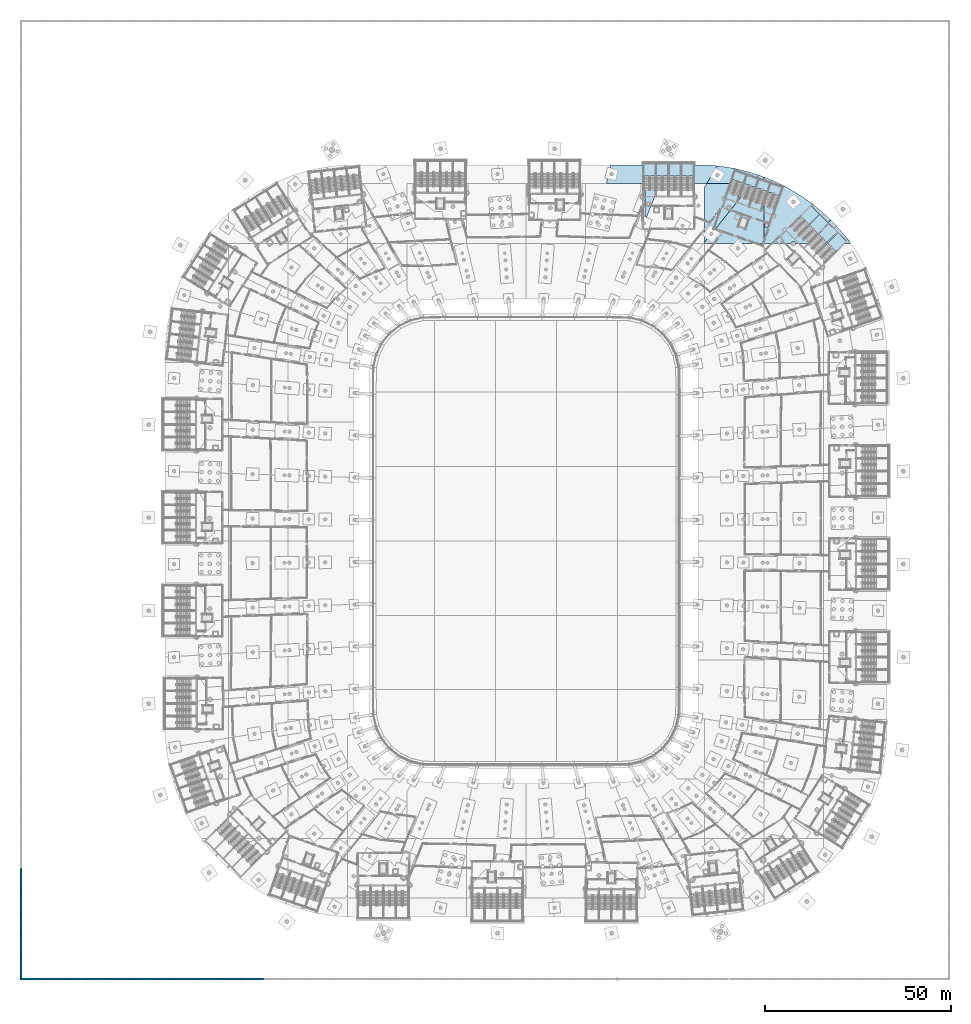
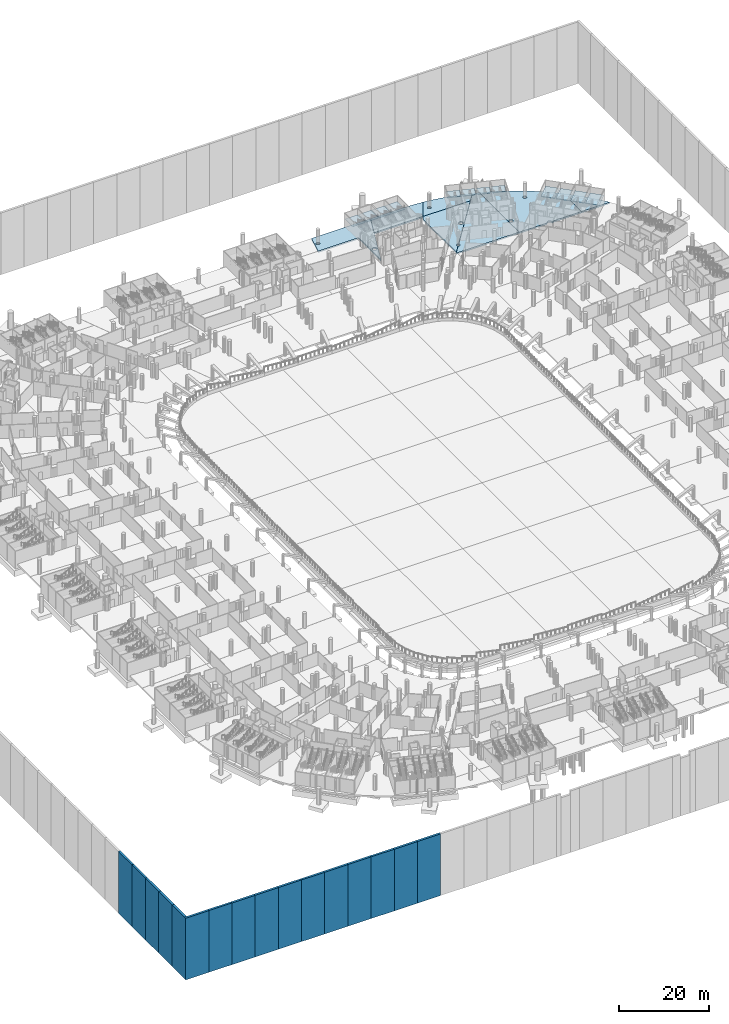
# One storey, part 34 of 142: 19 slabs, 16 walls, 12 elements without a shape of their own.
"""IFC4 building model written with IfcOpenShell, lengths in metres."""

from ifc_helpers import new_model, si_unit, direction, frame, frame_2d, origin, place, context, subcontext, project, spatial, polyline, rectangle, outline, extrude, material, layer, layer_set, type_object, element, aggregate, save


model = new_model("IFC4")

# Units and contexts
model_context = context("Model", 3, precision=1e-05, world=origin(), true_north=direction((0.0, 1.0)))
body_context = subcontext(model_context, "Body", "Model", "MODEL_VIEW")
ifc_project = project(units=[si_unit("LENGTHUNIT", "METRE"), si_unit("AREAUNIT", "SQUARE_METRE"), si_unit("VOLUMEUNIT", "CUBIC_METRE"), si_unit("PLANEANGLEUNIT", "RADIAN"), si_unit("MASSUNIT", "GRAM", prefix="KILO")], contexts=[model_context])

# Site, building, storey
site_placement = place(None, origin())
site = spatial("IfcSite", under=ifc_project, at=site_placement, CompositionType="ELEMENT")
building_placement = place(site_placement, origin())
building = spatial("IfcBuilding", under=site, at=building_placement, Name="Meseta Stadium", CompositionType="ELEMENT")
storey_placement = place(building_placement, frame((0.0, 0.0, -4.0)))
storey = spatial("IfcBuildingStorey", under=building, at=storey_placement, Name="B1", CompositionType="ELEMENT", Elevation=-4.0)

# Slabs
ifc_material_1 = material(Name="Concrete C30/37", Category="concrete")
ifc_layer_1 = layer(ifc_material_1, 0.39990234375)
ifc_layer_set_1 = layer_set([ifc_layer_1], Name="Base slab 400")
slab_type_1 = type_object("IfcSlabType", Name="Base slab 400", PredefinedType="BASESLAB", material=ifc_layer_set_1)
slab_1_placement = place(storey_placement, frame((0.0, 0.0, -0.39990234375)))
element("IfcSlab", 1, at=slab_1_placement, inside=storey, type_object=slab_type_1, Name="Base slab B1 sector 07 panel 07", PredefinedType="BASESLAB", context=body_context, shape_type="SweptSolid", body=[
    extrude(outline(polyline([(49.547607421875, 82.18115234375), (47.787353515625, 80.0), (64.0, 80.0), (64.0, 97.771484375), (62.556396484375, 98.300048828125), (50.050048828125, 82.8037109375), (50.0751953125, 82.782958984375), (50.125244140625, 82.72216796875), (50.16259765625, 82.652587890625), (50.185302734375, 82.5771484375), (50.193115234375, 82.498779296875), (50.185302734375, 82.42041015625), (50.16259765625, 82.344970703125), (50.125244140625, 82.275390625), (50.0751953125, 82.214599609375), (50.014404296875, 82.16455078125), (49.945068359375, 82.12744140625), (49.86962890625, 82.1044921875), (49.791015625, 82.096923828125), (49.712646484375, 82.1044921875), (49.63720703125, 82.12744140625), (49.56787109375, 82.16455078125), (49.547607421875, 82.18115234375)])), origin(), (0.0, 0.0, 1.0), 0.39990234375),
])
slab_2_placement = place(storey_placement, frame((0.0, 0.0, -0.39990234375)))
element("IfcSlab", 2, at=slab_2_placement, inside=storey, type_object=slab_type_1, Name="Base slab B1 sector 07 panel 08", PredefinedType="BASESLAB", context=body_context, shape_type="SweptSolid", body=[
    extrude(outline(polyline([(81.940673828125, 86.2099609375), (80.55419921875, 87.5390625), (79.118408203125, 88.815185546875), (77.635986328125, 90.036376953125), (76.108642578125, 91.201171875), (74.53857421875, 92.3076171875), (72.927978515625, 93.3544921875), (71.279296875, 94.340087890625), (69.594970703125, 95.262939453125), (67.876953125, 96.121826171875), (66.127685546875, 96.915771484375), (64.35009765625, 97.643310546875), (64.0, 97.771484375), (64.0, 80.0), (71.18359375, 80.0), (71.18408203125, 80.006591796875), (71.218505859375, 80.11962890625), (71.274169921875, 80.223876953125), (71.34912109375, 80.315185546875), (71.4404296875, 80.39013671875), (71.544677734375, 80.44580078125), (71.65771484375, 80.480224609375), (71.775390625, 80.49169921875), (71.89306640625, 80.480224609375), (72.006103515625, 80.44580078125), (72.1103515625, 80.39013671875), (72.20166015625, 80.315185546875), (72.276611328125, 80.223876953125), (72.33251953125, 80.11962890625), (72.36669921875, 80.006591796875), (72.37841796875, 79.888916015625), (72.36669921875, 79.771240234375), (72.357421875, 79.74072265625), (72.741455078125, 80.0), (80.0, 80.0), (80.0, 84.89990234375), (81.940673828125, 86.2099609375)]), holes=[polyline([(65.086181640625, 84.98486328125), (65.114990234375, 84.890625), (65.12451171875, 84.79248046875), (65.114990234375, 84.694580078125), (65.086181640625, 84.600341796875), (65.039794921875, 84.513427734375), (64.977294921875, 84.437255859375), (64.9013671875, 84.374755859375), (64.814453125, 84.328369140625), (64.72021484375, 84.2998046875), (64.6220703125, 84.2900390625), (64.524169921875, 84.2998046875), (64.429931640625, 84.328369140625), (64.343017578125, 84.374755859375), (64.266845703125, 84.437255859375), (64.204345703125, 84.513427734375), (64.157958984375, 84.600341796875), (64.12939453125, 84.694580078125), (64.11962890625, 84.79248046875), (64.12939453125, 84.890625), (64.157958984375, 84.98486328125), (64.204345703125, 85.07177734375), (64.266845703125, 85.147705078125), (64.343017578125, 85.210205078125), (64.429931640625, 85.256591796875), (64.524169921875, 85.285400390625), (64.6220703125, 85.294921875), (64.72021484375, 85.285400390625), (64.814453125, 85.256591796875), (64.9013671875, 85.210205078125), (64.977294921875, 85.147705078125), (65.039794921875, 85.07177734375), (65.086181640625, 84.98486328125)]), polyline([(72.2744140625, 91.32373046875), (72.30029296875, 91.239013671875), (72.308837890625, 91.15087890625), (72.30029296875, 91.0625), (72.2744140625, 90.977783203125), (72.232666015625, 90.899658203125), (72.176513671875, 90.8310546875), (72.10791015625, 90.77490234375), (72.02978515625, 90.73291015625), (71.945068359375, 90.707275390625), (71.856689453125, 90.698486328125), (71.7685546875, 90.707275390625), (71.68359375, 90.73291015625), (71.60546875, 90.77490234375), (71.537109375, 90.8310546875), (71.480712890625, 90.899658203125), (71.43896484375, 90.977783203125), (71.413330078125, 91.0625), (71.404541015625, 91.15087890625), (71.413330078125, 91.239013671875), (71.43896484375, 91.32373046875), (71.480712890625, 91.402099609375), (71.537109375, 91.470458984375), (71.60546875, 91.52685546875), (71.68359375, 91.568603515625), (71.7685546875, 91.59423828125), (71.856689453125, 91.60302734375), (71.945068359375, 91.59423828125), (72.02978515625, 91.568603515625), (72.10791015625, 91.52685546875), (72.176513671875, 91.470458984375), (72.232666015625, 91.402099609375), (72.2744140625, 91.32373046875)])]), origin(), (0.0, 0.0, 1.0), 0.39990234375),
])
slab_3_placement = place(storey_placement, frame((0.0, 0.0, -0.39990234375)))
element("IfcSlab", 3, at=slab_3_placement, inside=storey, type_object=slab_type_1, Name="Base slab B1 sector 07 panel 12", PredefinedType="BASESLAB", context=body_context, shape_type="SweptSolid", body=[
    extrude(outline(polyline([(83.276611328125, 84.829833984375), (81.940673828125, 86.2099609375), (80.0, 84.89990234375), (80.0, 80.0), (87.246337890625, 80.0), (86.9599609375, 80.402099609375), (85.787841796875, 81.923828125), (84.5595703125, 83.400390625), (83.276611328125, 84.829833984375)])), origin(), (0.0, 0.0, 1.0), 0.39990234375),
])
slab_4_placement = place(storey_placement, frame((0.0, 0.0, -0.39990234375)))
element("IfcSlab", 4, at=slab_4_placement, inside=storey, type_object=slab_type_1, Name="Base slab B1 sector 14 panel 13", PredefinedType="BASESLAB", context=body_context, shape_type="SweptSolid", body=[
    extrude(outline(polyline([(32.0, 86.0400390625), (37.964599609375, 101.070556640625), (27.831787109375, 101.039794921875), (22.768310546875, 101.027099609375), (21.5712890625, 96.0), (32.0, 96.0), (32.0, 86.0400390625)]), holes=[polyline([(23.417724609375, 98.427001953125), (23.3759765625, 98.348876953125), (23.319580078125, 98.2802734375), (23.251220703125, 98.22412109375), (23.173095703125, 98.18212890625), (23.088134765625, 98.156494140625), (23.0, 98.147705078125), (22.911865234375, 98.156494140625), (22.826904296875, 98.18212890625), (22.748779296875, 98.22412109375), (22.680419921875, 98.2802734375), (22.6240234375, 98.348876953125), (22.582275390625, 98.427001953125), (22.556396484375, 98.51171875), (22.5478515625, 98.60009765625), (22.556396484375, 98.688232421875), (22.582275390625, 98.77294921875), (22.6240234375, 98.851318359375), (22.680419921875, 98.919677734375), (22.748779296875, 98.97607421875), (22.826904296875, 99.017822265625), (22.911865234375, 99.04345703125), (23.0, 99.05224609375), (23.088134765625, 99.04345703125), (23.173095703125, 99.017822265625), (23.251220703125, 98.97607421875), (23.319580078125, 98.919677734375), (23.3759765625, 98.851318359375), (23.417724609375, 98.77294921875), (23.443603515625, 98.688232421875), (23.4521484375, 98.60009765625), (23.443603515625, 98.51171875), (23.417724609375, 98.427001953125)]), polyline([(33.334716796875, 90.160400390625), (33.2509765625, 90.091552734375), (33.155517578125, 90.04052734375), (33.0517578125, 90.009033203125), (32.944091796875, 89.998291015625), (32.836181640625, 90.009033203125), (32.732421875, 90.04052734375), (32.636962890625, 90.091552734375), (32.55322265625, 90.160400390625), (32.484619140625, 90.243896484375), (32.433349609375, 90.339599609375), (32.40185546875, 90.443359375), (32.391357421875, 90.551025390625), (32.40185546875, 90.658935546875), (32.433349609375, 90.7626953125), (32.484619140625, 90.858154296875), (32.55322265625, 90.94189453125), (32.636962890625, 91.010498046875), (32.732421875, 91.061767578125), (32.836181640625, 91.093017578125), (32.944091796875, 91.103759765625), (33.0517578125, 91.093017578125), (33.155517578125, 91.061767578125), (33.2509765625, 91.010498046875), (33.334716796875, 90.94189453125), (33.403564453125, 90.858154296875), (33.45458984375, 90.7626953125), (33.486083984375, 90.658935546875), (33.49658203125, 90.551025390625), (33.486083984375, 90.443359375), (33.45458984375, 90.339599609375), (33.403564453125, 90.243896484375), (33.334716796875, 90.160400390625)])]), origin(), (0.0, 0.0, 1.0), 0.39990234375),
])
slab_5_placement = place(storey_placement, frame((0.0, 0.0, -0.39990234375)))
element("IfcSlab", 5, at=slab_5_placement, inside=storey, type_object=slab_type_1, Name="Base slab B1 sector 14 panel 16", PredefinedType="BASESLAB", context=body_context, shape_type="SweptSolid", body=[
    extrude(outline(polyline([(49.408447265625, 100.975830078125), (47.490478515625, 101.072509765625), (45.570068359375, 101.09716796875), (37.964599609375, 101.070556640625), (35.952392578125, 96.0), (48.54296875, 96.0), (51.32177734375, 100.807373046875), (49.408447265625, 100.975830078125)])), origin(), (0.0, 0.0, 1.0), 0.39990234375),
])
slab_6_placement = place(storey_placement, frame((0.0, 0.0, -0.39990234375)))
element("IfcSlab", 6, at=slab_6_placement, inside=storey, type_object=slab_type_1, Name="Base slab B1 sector 14 panel 17", PredefinedType="BASESLAB", context=body_context, shape_type="SweptSolid", body=[
    extrude(outline(polyline([(50.014404296875, 82.8330078125), (50.03466796875, 82.81640625), (60.67431640625, 96.0), (48.54296875, 96.0), (48.0, 95.060546875), (48.0, 80.29541015625), (49.5322265625, 82.19384765625), (49.5068359375, 82.214599609375), (49.456787109375, 82.275390625), (49.419921875, 82.344970703125), (49.39697265625, 82.42041015625), (49.38916015625, 82.498779296875), (49.39697265625, 82.5771484375), (49.419921875, 82.652587890625), (49.456787109375, 82.72216796875), (49.5068359375, 82.782958984375), (49.56787109375, 82.8330078125), (49.63720703125, 82.8701171875), (49.712646484375, 82.89306640625), (49.791015625, 82.900634765625), (49.86962890625, 82.89306640625), (49.945068359375, 82.8701171875), (50.014404296875, 82.8330078125)]), holes=[polyline([(54.734619140625, 89.068603515625), (54.631103515625, 89.037353515625), (54.523193359375, 89.026611328125), (54.415283203125, 89.037353515625), (54.311767578125, 89.068603515625), (54.21630859375, 89.119873046875), (54.13232421875, 89.1884765625), (54.063720703125, 89.272216796875), (54.0126953125, 89.367919921875), (53.981201171875, 89.471435546875), (53.970703125, 89.579345703125), (53.981201171875, 89.68701171875), (54.0126953125, 89.790771484375), (54.063720703125, 89.88623046875), (54.13232421875, 89.97021484375), (54.21630859375, 90.038818359375), (54.311767578125, 90.08984375), (54.415283203125, 90.121337890625), (54.523193359375, 90.132080078125), (54.631103515625, 90.121337890625), (54.734619140625, 90.08984375), (54.830322265625, 90.038818359375), (54.9140625, 89.97021484375), (54.98291015625, 89.88623046875), (55.03369140625, 89.790771484375), (55.065185546875, 89.68701171875), (55.075927734375, 89.579345703125), (55.065185546875, 89.471435546875), (55.03369140625, 89.367919921875), (54.98291015625, 89.272216796875), (54.9140625, 89.1884765625), (54.830322265625, 89.119873046875), (54.734619140625, 89.068603515625)])]), origin(), (0.0, 0.0, 1.0), 0.39990234375),
])
slab_7_placement = place(storey_placement, frame((0.0, 0.0, -0.39990234375)))
element("IfcSlab", 7, at=slab_7_placement, inside=storey, type_object=slab_type_1, Name="Base slab B1 sector 14 panel 18", PredefinedType="BASESLAB", context=body_context, shape_type="SweptSolid", body=[
    extrude(outline(polyline([(55.122314453125, 100.2548828125), (53.227294921875, 100.56689453125), (51.32177734375, 100.807373046875), (48.54296875, 96.0), (60.67431640625, 96.0), (62.536376953125, 98.306884765625), (60.71923828125, 98.89599609375), (58.87109375, 99.4189453125), (57.004638671875, 99.872314453125), (55.122314453125, 100.2548828125)]), holes=[polyline([(51.614501953125, 97.876708984375), (51.52978515625, 97.850830078125), (51.44140625, 97.84228515625), (51.353271484375, 97.850830078125), (51.268310546875, 97.876708984375), (51.190185546875, 97.91845703125), (51.12158203125, 97.974609375), (51.0654296875, 98.043212890625), (51.023681640625, 98.121337890625), (50.998046875, 98.206298828125), (50.9892578125, 98.29443359375), (50.998046875, 98.382568359375), (51.023681640625, 98.467529296875), (51.0654296875, 98.545654296875), (51.12158203125, 98.6142578125), (51.190185546875, 98.67041015625), (51.268310546875, 98.712158203125), (51.353271484375, 98.73779296875), (51.44140625, 98.74658203125), (51.52978515625, 98.73779296875), (51.614501953125, 98.712158203125), (51.692626953125, 98.67041015625), (51.76123046875, 98.6142578125), (51.8173828125, 98.545654296875), (51.859130859375, 98.467529296875), (51.885009765625, 98.382568359375), (51.893798828125, 98.29443359375), (51.885009765625, 98.206298828125), (51.859130859375, 98.121337890625), (51.8173828125, 98.043212890625), (51.76123046875, 97.974609375), (51.692626953125, 97.91845703125), (51.614501953125, 97.876708984375)])]), origin(), (0.0, 0.0, 1.0), 0.39990234375),
])

# Stair, slab
ifc_material_2 = material(Name="Concrete C40/50", Category="concrete")
stair_type = type_object("IfcStairType", Name="Exit stair 2 flights 154 mm risers", PredefinedType="HALF_TURN_STAIR", material=ifc_material_2)
stair_1_placement = place(storey_placement, origin())
stair_1 = element("IfcStair", 8, at=stair_1_placement, inside=storey, type_object=stair_type, Name="ST25 B1", PredefinedType="HALF_TURN_STAIR")
ifc_material_3 = material(Name="Concrete C40/50", Category="concrete")
ifc_layer_2 = layer(ifc_material_3, 0.199951171875)
ifc_layer_set_2 = layer_set([ifc_layer_2], Name="Stair landing 200")
slab_type_2 = type_object("IfcSlabType", Name="Stair landing 200", PredefinedType="LANDING", material=ifc_layer_set_2)
slab_8_placement = place(storey_placement, frame((0.0, 0.0, 1.800048828125)))
slab_8 = element("IfcSlab", 9, at=slab_8_placement, type_object=slab_type_2, Name="ST25 B1 landing 1", PredefinedType="LANDING", context=body_context, shape_type="SweptSolid", body=[
    extrude(outline(polyline([(83.215087890625, 77.73974609375), (86.093017578125, 80.61767578125), (83.830322265625, 82.88037109375), (80.952392578125, 80.00244140625), (83.215087890625, 77.73974609375)])), origin(), (0.0, 0.0, 1.0), 0.199951171875),
])
aggregate(stair_1, [slab_8])

stair_2_placement = place(storey_placement, origin())
stair_2 = element("IfcStair", 10, at=stair_2_placement, inside=storey, type_object=stair_type, Name="ST26 B1", PredefinedType="HALF_TURN_STAIR")
slab_9_placement = place(storey_placement, frame((0.0, 0.0, 1.800048828125)))
slab_9 = element("IfcSlab", 11, at=slab_9_placement, type_object=slab_type_2, Name="ST26 B1 landing 1", PredefinedType="LANDING", context=body_context, shape_type="SweptSolid", body=[
    extrude(outline(polyline([(80.810791015625, 80.14404296875), (83.688720703125, 83.02197265625), (81.426025390625, 85.28466796875), (78.548095703125, 82.40673828125), (80.810791015625, 80.14404296875)])), origin(), (0.0, 0.0, 1.0), 0.199951171875),
])
aggregate(stair_2, [slab_9])

stair_3_placement = place(storey_placement, origin())
stair_3 = element("IfcStair", 12, at=stair_3_placement, inside=storey, type_object=stair_type, Name="ST27 B1", PredefinedType="HALF_TURN_STAIR")
slab_10_placement = place(storey_placement, frame((0.0, 0.0, 1.800048828125)))
slab_10 = element("IfcSlab", 13, at=slab_10_placement, type_object=slab_type_2, Name="ST27 B1 landing 1", PredefinedType="LANDING", context=body_context, shape_type="SweptSolid", body=[
    extrude(outline(polyline([(78.40673828125, 82.548095703125), (81.28466796875, 85.426025390625), (79.02197265625, 87.688720703125), (76.14404296875, 84.810791015625), (78.40673828125, 82.548095703125)])), origin(), (0.0, 0.0, 1.0), 0.199951171875),
])
aggregate(stair_3, [slab_10])

stair_4_placement = place(storey_placement, origin())
stair_4 = element("IfcStair", 14, at=stair_4_placement, inside=storey, type_object=stair_type, Name="ST28 B1", PredefinedType="HALF_TURN_STAIR")
slab_11_placement = place(storey_placement, frame((0.0, 0.0, 1.800048828125)))
slab_11 = element("IfcSlab", 15, at=slab_11_placement, type_object=slab_type_2, Name="ST28 B1 landing 1", PredefinedType="LANDING", context=body_context, shape_type="SweptSolid", body=[
    extrude(outline(polyline([(76.00244140625, 84.952392578125), (78.88037109375, 87.830322265625), (76.61767578125, 90.093017578125), (73.73974609375, 87.215087890625), (76.00244140625, 84.952392578125)])), origin(), (0.0, 0.0, 1.0), 0.199951171875),
])
aggregate(stair_4, [slab_11])

stair_5_placement = place(storey_placement, origin())
stair_5 = element("IfcStair", 16, at=stair_5_placement, inside=storey, type_object=stair_type, Name="ST29 B1", PredefinedType="HALF_TURN_STAIR")
slab_12_placement = place(storey_placement, frame((0.0, 0.0, 1.800048828125)))
slab_12 = element("IfcSlab", 17, at=slab_12_placement, type_object=slab_type_2, Name="ST29 B1 landing 1", PredefinedType="LANDING", context=body_context, shape_type="SweptSolid", body=[
    extrude(outline(polyline([(68.05517578125, 92.744384765625), (68.837890625, 94.981201171875), (65.817626953125, 96.0380859375), (65.03466796875, 93.80126953125), (68.05517578125, 92.744384765625)])), origin(), (0.0, 0.0, 1.0), 0.199951171875),
])
aggregate(stair_5, [slab_12])

stair_6_placement = place(storey_placement, origin())
stair_6 = element("IfcStair", 18, at=stair_6_placement, inside=storey, type_object=stair_type, Name="ST30 B1", PredefinedType="HALF_TURN_STAIR")
slab_13_placement = place(storey_placement, frame((0.0, 0.0, 1.800048828125)))
slab_13 = element("IfcSlab", 19, at=slab_13_placement, type_object=slab_type_2, Name="ST30 B1 landing 1", PredefinedType="LANDING", context=body_context, shape_type="SweptSolid", body=[
    extrude(outline(polyline([(64.845947265625, 93.8671875), (65.628662109375, 96.104248046875), (62.6083984375, 97.1611328125), (61.82568359375, 94.924072265625), (64.845947265625, 93.8671875)])), origin(), (0.0, 0.0, 1.0), 0.199951171875),
])
aggregate(stair_6, [slab_13])

stair_7_placement = place(storey_placement, origin())
stair_7 = element("IfcStair", 20, at=stair_7_placement, inside=storey, type_object=stair_type, Name="ST31 B1", PredefinedType="HALF_TURN_STAIR")
slab_14_placement = place(storey_placement, frame((0.0, 0.0, 1.800048828125)))
slab_14 = element("IfcSlab", 21, at=slab_14_placement, type_object=slab_type_2, Name="ST31 B1 landing 1", PredefinedType="LANDING", context=body_context, shape_type="SweptSolid", body=[
    extrude(outline(polyline([(61.63671875, 94.990234375), (62.419677734375, 97.227294921875), (59.399169921875, 98.2841796875), (58.616455078125, 96.047119140625), (61.63671875, 94.990234375)])), origin(), (0.0, 0.0, 1.0), 0.199951171875),
])
aggregate(stair_7, [slab_14])

stair_8_placement = place(storey_placement, origin())
stair_8 = element("IfcStair", 22, at=stair_8_placement, inside=storey, type_object=stair_type, Name="ST32 B1", PredefinedType="HALF_TURN_STAIR")
slab_15_placement = place(storey_placement, frame((0.0, 0.0, 1.800048828125)))
slab_15 = element("IfcSlab", 23, at=slab_15_placement, type_object=slab_type_2, Name="ST32 B1 landing 1", PredefinedType="LANDING", context=body_context, shape_type="SweptSolid", body=[
    extrude(outline(polyline([(58.427490234375, 96.113037109375), (59.21044921875, 98.35009765625), (56.18994140625, 99.406982421875), (55.4072265625, 97.169921875), (58.427490234375, 96.113037109375)])), origin(), (0.0, 0.0, 1.0), 0.199951171875),
])
aggregate(stair_8, [slab_15])

stair_9_placement = place(storey_placement, origin())
stair_9 = element("IfcStair", 24, at=stair_9_placement, inside=storey, type_object=stair_type, Name="ST33 B1", PredefinedType="HALF_TURN_STAIR")
slab_16_placement = place(storey_placement, frame((0.0, 0.0, 1.800048828125)))
slab_16 = element("IfcSlab", 25, at=slab_16_placement, type_object=slab_type_2, Name="ST33 B1 landing 1", PredefinedType="LANDING", context=body_context, shape_type="SweptSolid", body=[
    extrude(outline(polyline([(45.033447265625, 98.030029296875), (45.033447265625, 101.39990234375), (41.833251953125, 101.39990234375), (41.833251953125, 98.030029296875), (45.033447265625, 98.030029296875)])), origin(), (0.0, 0.0, 1.0), 0.199951171875),
])
aggregate(stair_9, [slab_16])

stair_10_placement = place(storey_placement, origin())
stair_10 = element("IfcStair", 26, at=stair_10_placement, inside=storey, type_object=stair_type, Name="ST34 B1", PredefinedType="HALF_TURN_STAIR")
slab_17_placement = place(storey_placement, frame((0.0, 0.0, 1.800048828125)))
slab_17 = element("IfcSlab", 27, at=slab_17_placement, type_object=slab_type_2, Name="ST34 B1 landing 1", PredefinedType="LANDING", context=body_context, shape_type="SweptSolid", body=[
    extrude(outline(polyline([(41.63330078125, 98.030029296875), (41.63330078125, 101.39990234375), (38.433349609375, 101.39990234375), (38.433349609375, 98.030029296875), (41.63330078125, 98.030029296875)])), origin(), (0.0, 0.0, 1.0), 0.199951171875),
])
aggregate(stair_10, [slab_17])

stair_11_placement = place(storey_placement, origin())
stair_11 = element("IfcStair", 28, at=stair_11_placement, inside=storey, type_object=stair_type, Name="ST35 B1", PredefinedType="HALF_TURN_STAIR")
slab_18_placement = place(storey_placement, frame((0.0, 0.0, 1.800048828125)))
slab_18 = element("IfcSlab", 29, at=slab_18_placement, type_object=slab_type_2, Name="ST35 B1 landing 1", PredefinedType="LANDING", context=body_context, shape_type="SweptSolid", body=[
    extrude(outline(polyline([(38.2333984375, 98.030029296875), (38.2333984375, 101.39990234375), (35.033447265625, 101.39990234375), (35.033447265625, 98.030029296875), (38.2333984375, 98.030029296875)])), origin(), (0.0, 0.0, 1.0), 0.199951171875),
])
aggregate(stair_11, [slab_18])

stair_12_placement = place(storey_placement, origin())
stair_12 = element("IfcStair", 30, at=stair_12_placement, inside=storey, type_object=stair_type, Name="ST36 B1", PredefinedType="HALF_TURN_STAIR")
slab_19_placement = place(storey_placement, frame((0.0, 0.0, 1.800048828125)))
slab_19 = element("IfcSlab", 31, at=slab_19_placement, type_object=slab_type_2, Name="ST36 B1 landing 1", PredefinedType="LANDING", context=body_context, shape_type="SweptSolid", body=[
    extrude(outline(polyline([(34.833251953125, 98.030029296875), (34.833251953125, 101.39990234375), (31.63330078125, 101.39990234375), (31.63330078125, 98.030029296875), (34.833251953125, 98.030029296875)])), origin(), (0.0, 0.0, 1.0), 0.199951171875),
])
aggregate(stair_12, [slab_19])

# Walls
ifc_material_4 = material(Name="Concrete C30/37", Category="concrete")
ifc_layer_3 = layer(ifc_material_4, 0.550048828125)
ifc_layer_set_3 = layer_set([ifc_layer_3], Name="Site retaining wall 550")
wall_type = type_object("IfcWallType", Name="Site retaining wall 550", PredefinedType="SOLIDWALL", material=ifc_layer_set_3)
for number, where, z_axis, x_axis, name in (
    (32, (-135.99951171875, -117.72509765625, -13.0), (0.0, 0.0, 1.0), (1.0, 0.0, 0.0), "Site retaining wall 01"),
    (33, (-130.047119140625, -117.72509765625, -13.0), (0.0, 0.0, 1.0), (1.0, 0.0, 0.0), "Site retaining wall 02"),
    (34, (-124.0947265625, -117.72509765625, -13.0), (0.0, 0.0, 1.0), (1.0, 0.0, 0.0), "Site retaining wall 03"),
):
    element("IfcWall", number, at=place(storey_placement, frame(where, z_axis=z_axis, x_axis=x_axis)), inside=storey, type_object=wall_type, Name=name, PredefinedType="SOLIDWALL", context=body_context, shape_type="SweptSolid", body=[
        extrude(rectangle(XDim=5.952392578125, YDim=0.550048828125, at=frame_2d((2.97607421875, 0.0))), origin(), (0.0, 0.0, 1.0), 16.75),
    ])
wall_1_placement = place(storey_placement, frame((-118.142333984375, -117.72509765625, -13.0), z_axis=(0.0, 0.0, 1.0), x_axis=(1.0, 0.0, 0.0)))
element("IfcWall", 35, at=wall_1_placement, inside=storey, type_object=wall_type, Name="Site retaining wall 04", PredefinedType="SOLIDWALL", context=body_context, shape_type="SweptSolid", body=[
    extrude(rectangle(XDim=5.9521484375, YDim=0.550048828125, at=frame_2d((2.97607421875, 0.0))), origin(), (0.0, 0.0, 1.0), 16.75),
])
for number, where, z_axis, x_axis, name in (
    (36, (-112.190185546875, -117.72509765625, -13.0), (0.0, 0.0, 1.0), (1.0, 0.0, 0.0), "Site retaining wall 05"),
    (37, (-106.23779296875, -117.72509765625, -13.0), (0.0, 0.0, 1.0), (1.0, 0.0, 0.0), "Site retaining wall 06"),
    (38, (-100.285400390625, -117.72509765625, -13.0), (0.0, 0.0, 1.0), (1.0, 0.0, 0.0), "Site retaining wall 07"),
    (39, (-94.3330078125, -117.72509765625, -13.0), (0.0, 0.0, 1.0), (1.0, 0.0, 0.0), "Site retaining wall 08"),
    (40, (-88.380615234375, -117.72509765625, -13.0), (0.0, 0.0, 1.0), (1.0, 0.0, 0.0), "Site retaining wall 09"),
    (41, (-82.42822265625, -117.72509765625, -13.0), (0.0, 0.0, 1.0), (1.0, 0.0, 0.0), "Site retaining wall 10"),
):
    element("IfcWall", number, at=place(storey_placement, frame(where, z_axis=z_axis, x_axis=x_axis)), inside=storey, type_object=wall_type, Name=name, PredefinedType="SOLIDWALL", context=body_context, shape_type="SweptSolid", body=[
        extrude(rectangle(XDim=5.952392578125, YDim=0.550048828125, at=frame_2d((2.97607421875, 0.0))), origin(), (0.0, 0.0, 1.0), 16.75),
    ])
wall_2_placement = place(storey_placement, frame((-76.475830078125, -117.72509765625, -13.0), z_axis=(0.0, 0.0, 1.0), x_axis=(1.0, 0.0, 0.0)))
element("IfcWall", 42, at=wall_2_placement, inside=storey, type_object=wall_type, Name="Site retaining wall 11", PredefinedType="SOLIDWALL", context=body_context, shape_type="SweptSolid", body=[
    extrude(rectangle(XDim=5.9521484375, YDim=0.550048828125, at=frame_2d((2.97607421875, 0.0))), origin(), (0.0, 0.0, 1.0), 16.75),
])
for number, where, z_axis, x_axis, name in (
    (43, (-135.72509765625, -87.99951171875, -13.0), (0.0, 0.0, 1.0), (0.0, -1.0, 0.0), "Site retaining wall 182"),
    (44, (-135.72509765625, -93.99951171875, -13.0), (0.0, 0.0, 1.0), (0.0, -1.0, 0.0), "Site retaining wall 183"),
    (45, (-135.72509765625, -99.99951171875, -13.0), (0.0, 0.0, 1.0), (0.0, -1.0, 0.0), "Site retaining wall 184"),
    (46, (-135.72509765625, -105.99951171875, -13.0), (0.0, 0.0, 1.0), (0.0, -1.0, 0.0), "Site retaining wall 185"),
    (47, (-135.72509765625, -111.99951171875, -13.0), (0.0, 0.0, 1.0), (0.0, -1.0, 0.0), "Site retaining wall 186"),
):
    element("IfcWall", number, at=place(storey_placement, frame(where, z_axis=z_axis, x_axis=x_axis)), inside=storey, type_object=wall_type, Name=name, PredefinedType="SOLIDWALL", context=body_context, shape_type="SweptSolid", body=[
        extrude(rectangle(XDim=6.0, YDim=0.550048828125, at=frame_2d((3.0, 0.0))), origin(), (0.0, 0.0, 1.0), 16.75),
    ])

save(model, "model.ifc")
